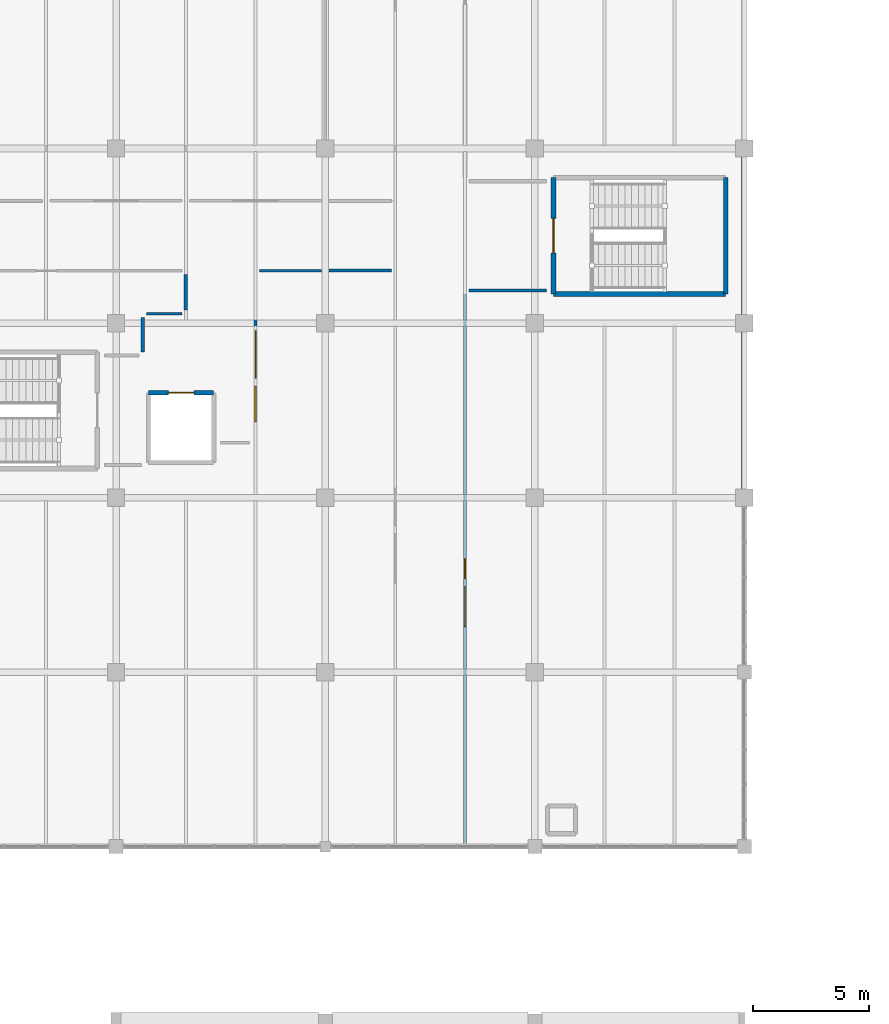
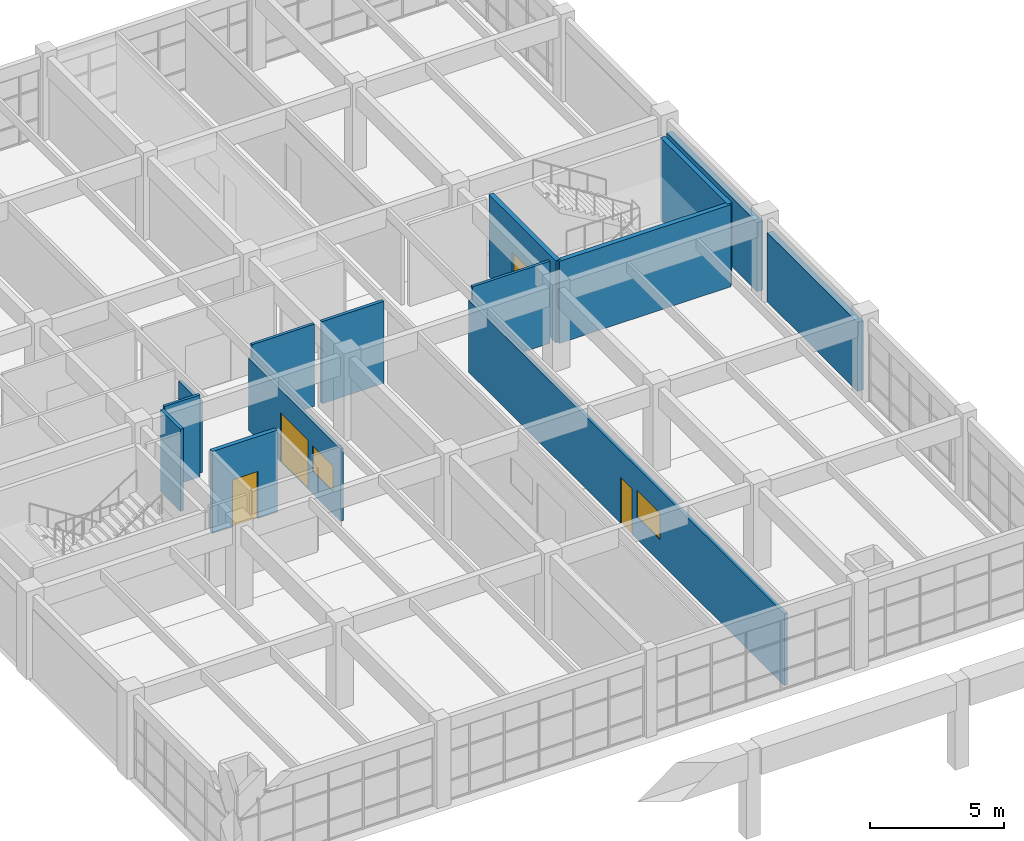
# One storey, part 69 of 76: 14 walls, 4 doors, 2 windows, 6 openings.
"""IFC4 building model written with IfcOpenShell, lengths in metres."""

from ifc_helpers import new_model, si_unit, direction, frame, frame_2d, origin, place, context, subcontext, project, spatial, rectangle, extrude, material, layer, layer_set, type_object, element, fill, save


model = new_model("IFC4")

# Units and contexts
model_context = context("Model", 3, precision=1e-05, world=origin(), true_north=direction((0.0, 1.0)))
body_context = subcontext(model_context, "Body", "Model", "MODEL_VIEW")
ifc_project = project(units=[si_unit("LENGTHUNIT", "METRE"), si_unit("AREAUNIT", "SQUARE_METRE"), si_unit("VOLUMEUNIT", "CUBIC_METRE"), si_unit("PLANEANGLEUNIT", "RADIAN"), si_unit("MASSUNIT", "GRAM", prefix="KILO")], contexts=[model_context])

# Site, building, storey
site_placement = place(None, origin())
site = spatial("IfcSite", under=ifc_project, at=site_placement, CompositionType="ELEMENT")
building_placement = place(site_placement, origin())
building = spatial("IfcBuilding", under=site, at=building_placement, Name="Marnridge Secondary College", CompositionType="ELEMENT")
storey_placement = place(building_placement, frame((0.0, 0.0, 4.5)))
storey = spatial("IfcBuildingStorey", under=building, at=storey_placement, Name="L01", CompositionType="ELEMENT", Elevation=4.5)

# Walls
ifc_material_1 = material(Name="Concrete C40/50 (AS 3600 N40, 40 MPa)", Category="concrete")
ifc_layer_1 = layer(ifc_material_1, 0.199951171875)
ifc_layer_set_1 = layer_set([ifc_layer_1], Name="WT-CORE-RC200")
wall_type_1 = type_object("IfcWallType", Name="WT-CORE-RC200", PredefinedType="SHEAR", material=ifc_layer_set_1)
wall_1_placement = place(storey_placement, frame((81.800048828125, 61.25, 0.0), z_axis=(0.0, 0.0, 1.0), x_axis=(1.0, 0.0, 0.0)))
element("IfcWall", 1, at=wall_1_placement, inside=storey, type_object=wall_type_1, Name="Stair core shear wall WC-L01-0277", PredefinedType="SHEAR", context=body_context, shape_type="SweptSolid", body=[
    extrude(rectangle(XDim=7.39990234375, YDim=0.199951171875, at=frame_2d((3.699951171875, 0.0))), origin(), (0.0, 0.0, 1.0), 3.739990234375),
])
wall_2_placement = place(storey_placement, frame((89.199951171875, 61.25, 0.0), z_axis=(0.0, 0.0, 1.0), x_axis=(0.0, 1.0, 0.0)))
element("IfcWall", 2, at=wall_2_placement, inside=storey, type_object=wall_type_1, Name="Stair core shear wall WC-L01-0278", PredefinedType="SHEAR", context=body_context, shape_type="SweptSolid", body=[
    extrude(rectangle(XDim=5.0, YDim=0.199951171875, at=frame_2d((2.5, 0.0))), origin(), (0.0, 0.0, 1.0), 3.739990234375),
])

# Wall, opening, door
wall_3_placement = place(storey_placement, frame((81.800048828125, 66.25, 0.0), z_axis=(0.0, 0.0, 1.0), x_axis=(0.0, -1.0, 0.0)))
wall_3 = element("IfcWall", 3, at=wall_3_placement, inside=storey, type_object=wall_type_1, Name="Stair core shear wall WC-L01-0280", PredefinedType="SHEAR", context=body_context, shape_type="SweptSolid", body=[
    extrude(rectangle(XDim=5.0, YDim=0.199951171875, at=frame_2d((2.5, 0.0))), origin(), (0.0, 0.0, 1.0), 3.739990234375),
])
opening_1_placement = place(wall_3_placement, frame((1.75, 0.0, 0.0)))
opening_1 = element("IfcOpeningElement", 4, at=opening_1_placement, cuts=wall_3, Name="Opening DC-L01-008", PredefinedType="OPENING", context=body_context, shape_type="SweptSolid", body=[
    extrude(rectangle(XDim=1.5, YDim=2.14990234375, at=frame_2d((0.75, 1.074951171875))), frame((0.0, 0.10986328125, 0.0), z_axis=(0.0, -1.0, 0.0), x_axis=(1.0, 0.0, 0.0)), (0.0, 0.0, 1.0), 0.219970703125),
])
ifc_material_2 = material(Name="Fire-rated solid-core timber doorset", Category="wood")
door_type_1 = type_object("IfcDoorType", Name="DT-CORE-FD150", OperationType="DOUBLE_DOOR_SINGLE_SWING", PredefinedType="DOOR", material=ifc_material_2)
door_1_placement = place(opening_1_placement, origin())
door_1 = element("IfcDoor", 5, at=door_1_placement, inside=storey, type_object=door_type_1, Name="Fire stair door DC-L01-008", OperationType="DOUBLE_DOOR_SINGLE_SWING", OverallHeight=2.14990234375, OverallWidth=1.5, PredefinedType="DOOR", context=body_context, shape_type="SweptSolid", body=[
    extrude(rectangle(XDim=1.5, YDim=2.14990234375, at=frame_2d((0.75, 1.074951171875))), frame((0.0, 0.02490234375, 0.0), z_axis=(0.0, -1.0, 0.0), x_axis=(1.0, 0.0, 0.0)), (0.0, 0.0, 1.0), 0.050048828125),
])
fill(opening_1, door_1)

# Walls
ifc_material_3 = material(Name="Concrete C40/50 (AS 3600 N40, 40 MPa)", Category="concrete")
ifc_layer_2 = layer(ifc_material_3, 0.25)
ifc_layer_set_2 = layer_set([ifc_layer_2], Name="WT-EXT-RC250")
wall_type_2 = type_object("IfcWallType", Name="WT-EXT-RC250", PredefinedType="SOLIDWALL", material=ifc_layer_set_2)
for number, where, z_axis, x_axis, name in (
    (6, (90.0, 67.12890625, 0.0), (0.0, 0.0, 1.0), (0.0, -1.0, 0.0), "Exterior wall WE-L01-0083"),
    (7, (90.0, 59.62890625, 0.0), (0.0, 0.0, 1.0), (0.0, -1.0, 0.0), "Exterior wall WE-L01-0084"),
):
    element("IfcWall", number, at=place(storey_placement, frame(where, z_axis=z_axis, x_axis=x_axis)), inside=storey, type_object=wall_type_2, Name=name, PredefinedType="SOLIDWALL", context=body_context, shape_type="SweptSolid", body=[
        extrude(rectangle(XDim=6.7578125, YDim=0.25, at=frame_2d((3.37890625, 0.0))), origin(), (0.0, 0.0, 1.0), 3.14697265625),
    ])
ifc_material_4 = material(Name="Acoustic plasterboard partition Rw45", Category="gypsum")
ifc_layer_3 = layer(ifc_material_4, 0.1201171875)
ifc_layer_set_3 = layer_set([ifc_layer_3], Name="WT-PART-AC120")
wall_type_3 = type_object("IfcWallType", Name="WT-PART-AC120", PredefinedType="PARTITIONING", material=ifc_layer_set_3)
wall_4_placement = place(storey_placement, frame((71.840087890625, 62.25, 0.0), z_axis=(0.0, 0.0, 1.0), x_axis=(-1.0, 0.0, 0.0)))
element("IfcWall", 8, at=wall_4_placement, inside=storey, type_object=wall_type_3, Name="Interior partition WP-L01-0131", PredefinedType="PARTITIONING", context=body_context, shape_type="SweptSolid", body=[
    extrude(rectangle(XDim=2.68017578125, YDim=0.1201171875, at=frame_2d((1.340087890625, 0.0))), origin(), (0.0, 0.0, 1.0), 3.739990234375),
])
wall_5_placement = place(storey_placement, frame((81.5, 61.39990234375, 0.0), z_axis=(0.0, 0.0, 1.0), x_axis=(-1.0, 0.0, 0.0)))
element("IfcWall", 9, at=wall_5_placement, inside=storey, type_object=wall_type_3, Name="Interior partition WP-L01-0137", PredefinedType="PARTITIONING", context=body_context, shape_type="SweptSolid", body=[
    extrude(rectangle(XDim=3.340087890625, YDim=0.1201171875, at=frame_2d((1.669921875, 0.0))), origin(), (0.0, 0.0, 1.0), 3.739990234375),
])
wall_6_placement = place(storey_placement, frame((64.31005859375, 60.39990234375, 0.0), z_axis=(0.0, 0.0, 1.0), x_axis=(1.0, 0.0, 0.0)))
element("IfcWall", 10, at=wall_6_placement, inside=storey, type_object=wall_type_3, Name="Interior partition WP-L01-0141", PredefinedType="PARTITIONING", context=body_context, shape_type="SweptSolid", body=[
    extrude(rectangle(XDim=1.530029296875, YDim=0.1201171875, at=frame_2d((0.76513671875, 0.0))), origin(), (0.0, 0.0, 1.0), 3.739990234375),
])

# Wall, openings, door, window
ifc_material_5 = material(Name="Acoustic plasterboard partition Rw48", Category="gypsum")
ifc_layer_4 = layer(ifc_material_5, 0.135009765625)
ifc_layer_set_4 = layer_set([ifc_layer_4], Name="WT-PART-AC135")
wall_type_4 = type_object("IfcWallType", Name="WT-PART-AC135", PredefinedType="PARTITIONING", material=ifc_layer_set_4)
wall_7_placement = place(storey_placement, frame((69.0, 62.090087890625, 0.0), z_axis=(0.0, 0.0, 1.0), x_axis=(0.0, -1.0, 0.0)))
wall_7 = element("IfcWall", 11, at=wall_7_placement, inside=storey, type_object=wall_type_4, Name="Interior partition WP-L01-0132", PredefinedType="PARTITIONING", context=body_context, shape_type="SweptSolid", body=[
    extrude(rectangle(XDim=6.880126953125, YDim=0.135009765625, at=frame_2d((3.43994140625, 0.0))), origin(), (0.0, 0.0, 1.0), 3.281982421875),
])
opening_2_placement = place(wall_7_placement, frame((2.419921875, 0.0, 0.0)))
opening_2 = element("IfcOpeningElement", 12, at=opening_2_placement, cuts=wall_7, Name="Opening DI-L01-0047", PredefinedType="OPENING", context=body_context, shape_type="SweptSolid", body=[
    extrude(rectangle(XDim=2.0400390625, YDim=2.239990234375, at=frame_2d((1.02001953125, 1.1201171875))), frame((0.0, 0.077392578125, 0.0), z_axis=(0.0, -1.0, 0.0), x_axis=(1.0, 0.0, 0.0)), (0.0, 0.0, 1.0), 0.155029296875),
])
opening_3_placement = place(wall_7_placement, frame((4.81005859375, 0.0, 1.02001953125)))
opening_3 = element("IfcOpeningElement", 13, at=opening_3_placement, cuts=wall_7, Name="Opening WNI-L01-007", PredefinedType="OPENING", context=body_context, shape_type="SweptSolid", body=[
    extrude(rectangle(XDim=1.52001953125, YDim=1.159912109375, at=frame_2d((0.760009765625, 0.580078125))), frame((0.0, 0.077392578125, 0.0), z_axis=(0.0, -1.0, 0.0), x_axis=(1.0, 0.0, 0.0)), (0.0, 0.0, 1.0), 0.155029296875),
])
ifc_material_6 = material(Name="Solid-core acoustic hoop-pine classroom doorset", Category="wood")
door_type_2 = type_object("IfcDoorType", Name="DT-RM-VAR23", OperationType="NOTDEFINED", PredefinedType="DOOR", material=ifc_material_6)
door_2_placement = place(opening_2_placement, origin())
door_2 = element("IfcDoor", 14, at=door_2_placement, inside=storey, type_object=door_type_2, Name="Interior door DI-L01-0047", OperationType="SINGLE_SWING_LEFT", OverallHeight=2.239990234375, OverallWidth=2.0400390625, PredefinedType="DOOR", context=body_context, shape_type="SweptSolid", body=[
    extrude(rectangle(XDim=2.0400390625, YDim=2.239990234375, at=frame_2d((1.02001953125, 1.1201171875))), frame((0.0, 0.02490234375, 0.0), z_axis=(0.0, -1.0, 0.0), x_axis=(1.0, 0.0, 0.0)), (0.0, 0.0, 1.0), 0.050048828125),
])
fill(opening_2, door_2)
ifc_material_7 = material(Name="Acoustic laminated interior vision glazing", Category="glass")
window_type_1 = type_object("IfcWindowType", Name="WN-BL-VAR07", PartitioningType="DOUBLE_PANEL_VERTICAL", PredefinedType="WINDOW", material=ifc_material_7)
window_1_placement = place(opening_3_placement, origin())
window_1 = element("IfcWindow", 15, at=window_1_placement, inside=storey, type_object=window_type_1, Name="Interior vision window WNI-L01-007", OverallHeight=1.159912109375, OverallWidth=1.52001953125, PartitioningType="DOUBLE_PANEL_VERTICAL", PredefinedType="WINDOW", context=body_context, shape_type="SweptSolid", body=[
    extrude(rectangle(XDim=1.52001953125, YDim=1.159912109375, at=frame_2d((0.760009765625, 0.580078125))), frame((0.0, 0.030029296875, 0.0), z_axis=(0.0, -1.0, 0.0), x_axis=(1.0, 0.0, 0.0)), (0.0, 0.0, 1.0), 0.06005859375),
])
fill(opening_3, window_1)

# Wall
wall_8_placement = place(storey_placement, frame((74.840087890625, 62.25, 0.0), z_axis=(0.0, 0.0, 1.0), x_axis=(-1.0, 0.0, 0.0)))
element("IfcWall", 16, at=wall_8_placement, inside=storey, type_object=wall_type_4, Name="Interior partition WP-L01-0136", PredefinedType="PARTITIONING", context=body_context, shape_type="SweptSolid", body=[
    extrude(rectangle(XDim=2.68017578125, YDim=0.135009765625, at=frame_2d((1.340087890625, 0.0))), origin(), (0.0, 0.0, 1.0), 3.739990234375),
])

# Wall, openings, door, window
wall_9_placement = place(storey_placement, frame((78.0, 61.239990234375, 0.0), z_axis=(0.0, 0.0, 1.0), x_axis=(0.0, -1.0, 0.0)))
wall_9 = element("IfcWall", 17, at=wall_9_placement, inside=storey, type_object=wall_type_4, Name="Interior partition WP-L01-0138", PredefinedType="PARTITIONING", context=body_context, shape_type="SweptSolid", body=[
    extrude(rectangle(XDim=23.580078125, YDim=0.135009765625, at=frame_2d((11.7900390625, 0.0))), origin(), (0.0, 0.0, 1.0), 3.281982421875),
])
opening_4_placement = place(wall_9_placement, frame((11.360107421875, 0.0, 0.0)))
opening_4 = element("IfcOpeningElement", 18, at=opening_4_placement, cuts=wall_9, Name="Opening DI-L01-0049", PredefinedType="OPENING", context=body_context, shape_type="SweptSolid", body=[
    extrude(rectangle(XDim=0.860107421875, YDim=2.080078125, at=frame_2d((0.43017578125, 1.0400390625))), frame((0.0, 0.077392578125, 0.0), z_axis=(0.0, -1.0, 0.0), x_axis=(1.0, 0.0, 0.0)), (0.0, 0.0, 1.0), 0.155029296875),
])
opening_5_placement = place(wall_9_placement, frame((12.570068359375, 0.0, 1.02001953125)))
opening_5 = element("IfcOpeningElement", 19, at=opening_5_placement, cuts=wall_9, Name="Opening WNI-L01-009", PredefinedType="OPENING", context=body_context, shape_type="SweptSolid", body=[
    extrude(rectangle(XDim=1.719970703125, YDim=1.219970703125, at=frame_2d((0.85986328125, 0.60986328125))), frame((0.0, 0.077392578125, 0.0), z_axis=(0.0, -1.0, 0.0), x_axis=(1.0, 0.0, 0.0)), (0.0, 0.0, 1.0), 0.155029296875),
])
ifc_material_8 = material(Name="Solid-core acoustic hoop-pine classroom doorset", Category="wood")
door_type_3 = type_object("IfcDoorType", Name="DT-RM-VAR01", OperationType="NOTDEFINED", PredefinedType="DOOR", material=ifc_material_8)
door_3_placement = place(opening_4_placement, origin())
door_3 = element("IfcDoor", 20, at=door_3_placement, inside=storey, type_object=door_type_3, Name="Interior door DI-L01-0049", OperationType="SINGLE_SWING_LEFT", OverallHeight=2.080078125, OverallWidth=0.860107421875, PredefinedType="DOOR", context=body_context, shape_type="SweptSolid", body=[
    extrude(rectangle(XDim=0.860107421875, YDim=2.080078125, at=frame_2d((0.43017578125, 1.0400390625))), frame((0.0, 0.02490234375, 0.0), z_axis=(0.0, -1.0, 0.0), x_axis=(1.0, 0.0, 0.0)), (0.0, 0.0, 1.0), 0.050048828125),
])
fill(opening_4, door_3)
ifc_material_9 = material(Name="Acoustic laminated interior vision glazing", Category="glass")
window_type_2 = type_object("IfcWindowType", Name="WN-BL-VAR09", PartitioningType="DOUBLE_PANEL_VERTICAL", PredefinedType="WINDOW", material=ifc_material_9)
window_2_placement = place(opening_5_placement, origin())
window_2 = element("IfcWindow", 21, at=window_2_placement, inside=storey, type_object=window_type_2, Name="Interior vision window WNI-L01-009", OverallHeight=1.219970703125, OverallWidth=1.719970703125, PartitioningType="DOUBLE_PANEL_VERTICAL", PredefinedType="WINDOW", context=body_context, shape_type="SweptSolid", body=[
    extrude(rectangle(XDim=1.719970703125, YDim=1.219970703125, at=frame_2d((0.85986328125, 0.60986328125))), frame((0.0, 0.030029296875, 0.0), z_axis=(0.0, -1.0, 0.0), x_axis=(1.0, 0.0, 0.0)), (0.0, 0.0, 1.0), 0.06005859375),
])
fill(opening_5, window_2)

# Walls
wall_10_placement = place(storey_placement, frame((64.14990234375, 58.760009765625, 0.0), z_axis=(0.0, 0.0, 1.0), x_axis=(0.0, 1.0, 0.0)))
element("IfcWall", 22, at=wall_10_placement, inside=storey, type_object=wall_type_4, Name="Interior partition WP-L01-0140", PredefinedType="PARTITIONING", context=body_context, shape_type="SweptSolid", body=[
    extrude(rectangle(XDim=1.47998046875, YDim=0.135009765625, at=frame_2d((0.739990234375, 0.0))), origin(), (0.0, 0.0, 1.0), 3.739990234375),
])
wall_11_placement = place(storey_placement, frame((66.0, 60.56005859375, 0.0), z_axis=(0.0, 0.0, 1.0), x_axis=(0.0, 1.0, 0.0)))
element("IfcWall", 23, at=wall_11_placement, inside=storey, type_object=wall_type_4, Name="Interior partition WP-L01-0142", PredefinedType="PARTITIONING", context=body_context, shape_type="SweptSolid", body=[
    extrude(rectangle(XDim=1.530029296875, YDim=0.135009765625, at=frame_2d((0.76513671875, 0.0))), origin(), (0.0, 0.0, 1.0), 3.281982421875),
])

# Wall, opening, door
ifc_material_10 = material(Name="Concrete C40/50 (AS 3600 N40, 40 MPa)", Category="concrete")
ifc_layer_5 = layer(ifc_material_10, 0.179931640625)
ifc_layer_set_5 = layer_set([ifc_layer_5], Name="WT-SHAFT-RC180")
wall_type_5 = type_object("IfcWallType", Name="WT-SHAFT-RC180", PredefinedType="SHEAR", material=ifc_layer_set_5)
wall_12_placement = place(storey_placement, frame((64.39990234375, 57.0, 0.0), z_axis=(0.0, 0.0, 1.0), x_axis=(1.0, 0.0, 0.0)))
wall_12 = element("IfcWall", 24, at=wall_12_placement, inside=storey, type_object=wall_type_5, Name="Lift shaft wall WL-L01-0415", PredefinedType="SHEAR", context=body_context, shape_type="SweptSolid", body=[
    extrude(rectangle(XDim=2.800048828125, YDim=0.179931640625, at=frame_2d((1.39990234375, 0.0))), origin(), (0.0, 0.0, 1.0), 3.739990234375),
])
opening_6_placement = place(wall_12_placement, frame((0.85009765625, 0.0, 0.0)))
opening_6 = element("IfcOpeningElement", 25, at=opening_6_placement, cuts=wall_12, Name="Opening LD-LC-01-L01", PredefinedType="OPENING", context=body_context, shape_type="SweptSolid", body=[
    extrude(rectangle(XDim=1.10009765625, YDim=2.14990234375, at=frame_2d((0.550048828125, 1.074951171875))), frame((0.0, 0.099853515625, 0.0), z_axis=(0.0, -1.0, 0.0), x_axis=(1.0, 0.0, 0.0)), (0.0, 0.0, 1.0), 0.199951171875),
])
ifc_material_11 = material(Name="Stainless steel Grade 350 automatic sliding lift landing doorset", Category="steel")
door_type_4 = type_object("IfcDoorType", Name="DT-LIFT-LD110", OperationType="SLIDING_TO_LEFT", PredefinedType="DOOR", material=ifc_material_11)
door_4_placement = place(opening_6_placement, origin())
door_4 = element("IfcDoor", 26, at=door_4_placement, inside=storey, type_object=door_type_4, Name="Sliding lift landing door LD-LC-01-L01", OperationType="SLIDING_TO_LEFT", OverallHeight=2.14990234375, OverallWidth=1.10009765625, PredefinedType="DOOR", context=body_context, shape_type="SweptSolid", body=[
    extrude(rectangle(XDim=1.10009765625, YDim=2.14990234375, at=frame_2d((0.550048828125, 1.074951171875))), frame((0.0, 0.02490234375, 0.0), z_axis=(0.0, -1.0, 0.0), x_axis=(1.0, 0.0, 0.0)), (0.0, 0.0, 1.0), 0.050048828125),
])
fill(opening_6, door_4)

save(model, "model.ifc")
